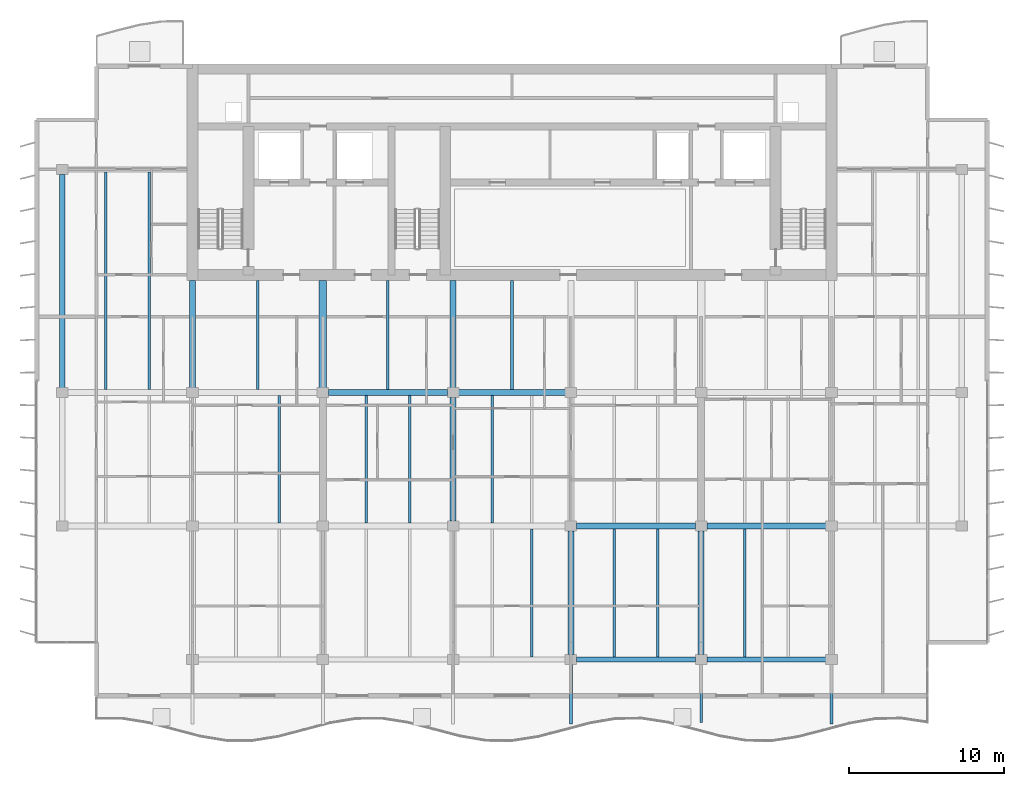
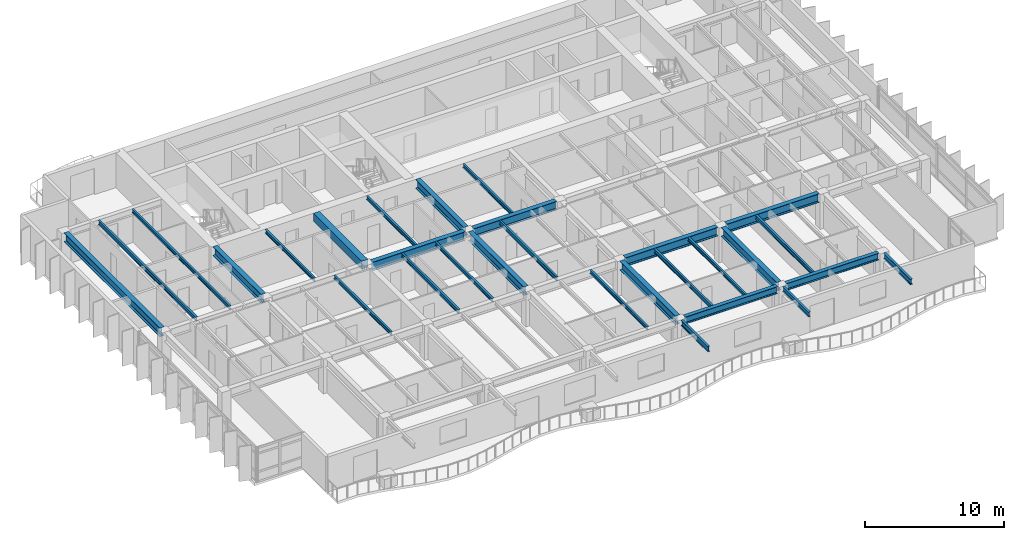
# One storey, part 3 of 19: 29 beams.
"""IFC4 building model written with IfcOpenShell, lengths in metres."""

from ifc_helpers import new_model, si_unit, direction, frame, origin, origin_2d, place, context, subcontext, project, spatial, rectangle, i_section, extrude, material, material_profile, profile_set, type_object, element, save


model = new_model("IFC4")

# Units and contexts
model_context = context("Model", 3, precision=1e-05, world=origin(), true_north=direction((0.0, 1.0)))
body_context = subcontext(model_context, "Body", "Model", "MODEL_VIEW")
ifc_project = project(units=[si_unit("LENGTHUNIT", "METRE"), si_unit("AREAUNIT", "SQUARE_METRE"), si_unit("VOLUMEUNIT", "CUBIC_METRE"), si_unit("PLANEANGLEUNIT", "RADIAN"), si_unit("MASSUNIT", "GRAM", prefix="KILO")], contexts=[model_context])

# Site, building, storey
site_placement = place(None, origin())
site = spatial("IfcSite", under=ifc_project, at=site_placement, CompositionType="ELEMENT")
building_placement = place(site_placement, origin())
building = spatial("IfcBuilding", under=site, at=building_placement, Name="Caelmar Bay Residences", CompositionType="ELEMENT")
storey_placement = place(building_placement, frame((0.0, 0.0, 256.199951171875)))
storey = spatial("IfcBuildingStorey", under=building, at=storey_placement, Name="L72", CompositionType="ELEMENT", Elevation=256.199951171875)

# Beams
ifc_material_1 = material(Name="Steel ASTM A992 Grade 50", Category="steel")
ifc_material_profile_1 = material_profile(ifc_material_1, i_section(OverallWidth=0.177978515625, OverallDepth=0.406005859375, WebThickness=0.0078125, FlangeThickness=0.0126953125, FilletRadius=0.0087890625, at=origin_2d()), Name="W16X40")
ifc_profile_set_1 = profile_set([ifc_material_profile_1], Name="Steel ASTM A992 Grade 50")
beam_type_1 = type_object("IfcBeamType", Name="BM-BAL-W16X40", PredefinedType="JOIST", material=ifc_profile_set_1)
beam_1_placement = place(storey_placement, frame((51.10009765625, 11.885009765625, 2.84716796875), z_axis=(0.0, -1.0, 0.0), x_axis=(1.0, 0.0, 0.0)))
element("IfcBeam", 1, at=beam_1_placement, inside=storey, type_object=beam_type_1, Name="L73 South Balcony Cantilever Bracket 5", PredefinedType="JOIST", context=body_context, shape_type="SweptSolid", body=[
    extrude(i_section(OverallWidth=0.177978515625, OverallDepth=0.406005859375, WebThickness=0.0078125, FlangeThickness=0.0126953125, FilletRadius=0.0087890625, at=origin_2d()), origin(), (0.0, 0.0, 1.0), 3.74951171875),
])
ifc_material_profile_2 = material_profile(ifc_material_1, i_section(OverallWidth=0.193115234375, OverallDepth=0.467041015625, WebThickness=0.011474609375, FlangeThickness=0.01904296875, FilletRadius=0.01025390625, at=origin_2d()), Name="W18X65")
ifc_profile_set_2 = profile_set([ifc_material_profile_2], Name="Steel ASTM A992 Grade 50")
beam_type_2 = type_object("IfcBeamType", Name="BM-BAL-W18X65", PredefinedType="BEAM", material=ifc_profile_set_2)
for number, where, z_axis, x_axis, name in (
    (2, (42.699951171875, 11.885009765625, 2.816650390625), (0.0, -1.0, 0.0), (1.0, 0.0, 0.0), "L73 South Balcony Cantilever Bracket 4"),
    (3, (59.5, 11.885009765625, 2.816650390625), (0.0, -1.0, 0.0), (1.0, 0.0, 0.0), "L73 South Balcony Cantilever Bracket 6"),
):
    element("IfcBeam", number, at=place(storey_placement, frame(where, z_axis=z_axis, x_axis=x_axis)), inside=storey, type_object=beam_type_2, Name=name, PredefinedType="BEAM", context=body_context, shape_type="SweptSolid", body=[
        extrude(i_section(OverallWidth=0.193115234375, OverallDepth=0.467041015625, WebThickness=0.011474609375, FlangeThickness=0.01904296875, FilletRadius=0.01025390625, at=origin_2d()), origin(), (0.0, 0.0, 1.0), 3.85009765625),
    ])
ifc_material_profile_3 = material_profile(ifc_material_1, i_section(OverallWidth=0.381103515625, OverallDepth=0.77197265625, WebThickness=0.0166015625, FlangeThickness=0.027099609375, FilletRadius=0.0166015625, at=origin_2d()), Name="W30X173")
ifc_profile_set_3 = profile_set([ifc_material_profile_3], Name="Steel ASTM A992 Grade 50")
beam_type_3 = type_object("IfcBeamType", Name="BM-GRD-W30X173", PredefinedType="BEAM", material=ifc_profile_set_3)
beam_2_placement = place(storey_placement, frame((43.06494140625, 20.800048828125, 2.6640625), z_axis=(1.0, 0.0, 0.0), x_axis=(0.0, 1.0, 0.0)))
element("IfcBeam", 4, at=beam_2_placement, inside=storey, type_object=beam_type_3, Name="L72 East-West Girder Y=20.80 (42.7-51.1)", PredefinedType="BEAM", context=body_context, shape_type="SweptSolid", body=[
    extrude(i_section(OverallWidth=0.381103515625, OverallDepth=0.77197265625, WebThickness=0.0166015625, FlangeThickness=0.027099609375, FilletRadius=0.0166015625, at=origin_2d()), origin(), (0.0, 0.0, 1.0), 7.670166015625),
])
beam_3_placement = place(storey_placement, frame((51.465087890625, 20.800048828125, 2.6640625), z_axis=(1.0, 0.0, 0.0), x_axis=(0.0, 1.0, 0.0)))
element("IfcBeam", 5, at=beam_3_placement, inside=storey, type_object=beam_type_3, Name="L72 East-West Girder Y=20.80 (51.1-59.5)", PredefinedType="BEAM", context=body_context, shape_type="SweptSolid", body=[
    extrude(i_section(OverallWidth=0.381103515625, OverallDepth=0.77197265625, WebThickness=0.0166015625, FlangeThickness=0.027099609375, FilletRadius=0.0166015625, at=origin_2d()), origin(), (0.0, 0.0, 1.0), 7.669921875),
])
beam_4_placement = place(storey_placement, frame((27.06494140625, 29.39990234375, 2.6640625), z_axis=(1.0, 0.0, 0.0), x_axis=(0.0, 1.0, 0.0)))
element("IfcBeam", 6, at=beam_4_placement, inside=storey, type_object=beam_type_3, Name="L72 East-West Girder Y=29.40 (26.7-35.1)", PredefinedType="BEAM", context=body_context, shape_type="SweptSolid", body=[
    extrude(i_section(OverallWidth=0.381103515625, OverallDepth=0.77197265625, WebThickness=0.0166015625, FlangeThickness=0.027099609375, FilletRadius=0.0166015625, at=origin_2d()), origin(), (0.0, 0.0, 1.0), 7.670166015625),
])
beam_5_placement = place(storey_placement, frame((35.465087890625, 29.39990234375, 2.6640625), z_axis=(1.0, 0.0, 0.0), x_axis=(0.0, 1.0, 0.0)))
element("IfcBeam", 7, at=beam_5_placement, inside=storey, type_object=beam_type_3, Name="L72 East-West Girder Y=29.40 (35.1-42.7)", PredefinedType="BEAM", context=body_context, shape_type="SweptSolid", body=[
    extrude(i_section(OverallWidth=0.381103515625, OverallDepth=0.77197265625, WebThickness=0.0166015625, FlangeThickness=0.027099609375, FilletRadius=0.0166015625, at=origin_2d()), origin(), (0.0, 0.0, 1.0), 6.869873046875),
])
beam_6_placement = place(storey_placement, frame((9.89990234375, 29.715087890625, 2.6640625), z_axis=(0.0, 1.0, 0.0), x_axis=(-1.0, 0.0, 0.0)))
element("IfcBeam", 8, at=beam_6_placement, inside=storey, type_object=beam_type_3, Name="L72 North-South Girder X=9.90 (29.4-43.8)", PredefinedType="BEAM", context=body_context, shape_type="SweptSolid", body=[
    extrude(i_section(OverallWidth=0.381103515625, OverallDepth=0.77197265625, WebThickness=0.0166015625, FlangeThickness=0.027099609375, FilletRadius=0.0166015625, at=origin_2d()), origin(), (0.0, 0.0, 1.0), 13.77001953125),
])
for number, where, z_axis, x_axis, name in (
    (9, (18.300048828125, 29.715087890625, 2.6640625), (0.0, 1.0, 0.0), (-1.0, 0.0, 0.0), "L72 Core Tie Girder X=18.30"),
    (10, (35.10009765625, 29.715087890625, 2.6640625), (0.0, 1.0, 0.0), (-1.0, 0.0, 0.0), "L72 Core Tie Girder X=35.10"),
):
    element("IfcBeam", number, at=place(storey_placement, frame(where, z_axis=z_axis, x_axis=x_axis)), inside=storey, type_object=beam_type_3, Name=name, PredefinedType="BEAM", context=body_context, shape_type="SweptSolid", body=[
        extrude(i_section(OverallWidth=0.381103515625, OverallDepth=0.77197265625, WebThickness=0.0166015625, FlangeThickness=0.027099609375, FilletRadius=0.0166015625, at=origin_2d()), origin(), (0.0, 0.0, 1.0), 6.934814453125),
    ])
beam_7_placement = place(storey_placement, frame((35.10009765625, 21.114990234375, 2.6640625), z_axis=(0.0, 1.0, 0.0), x_axis=(-1.0, 0.0, 0.0)))
element("IfcBeam", 11, at=beam_7_placement, inside=storey, type_object=beam_type_3, Name="L72 North-South Girder X=35.10 (20.8-29.4)", PredefinedType="BEAM", context=body_context, shape_type="SweptSolid", body=[
    extrude(i_section(OverallWidth=0.381103515625, OverallDepth=0.77197265625, WebThickness=0.0166015625, FlangeThickness=0.027099609375, FilletRadius=0.0166015625, at=origin_2d()), origin(), (0.0, 0.0, 1.0), 7.969970703125),
])
for number, where, z_axis, x_axis, name in (
    (12, (42.699951171875, 12.514892578125, 2.6640625), (0.0, 1.0, 0.0), (-1.0, 0.0, 0.0), "L72 North-South Girder X=42.70 (12.2-20.8)"),
    (13, (51.10009765625, 12.514892578125, 2.6640625), (0.0, 1.0, 0.0), (-1.0, 0.0, 0.0), "L72 North-South Girder X=51.10 (12.2-20.8)"),
):
    element("IfcBeam", number, at=place(storey_placement, frame(where, z_axis=z_axis, x_axis=x_axis)), inside=storey, type_object=beam_type_3, Name=name, PredefinedType="BEAM", context=body_context, shape_type="SweptSolid", body=[
        extrude(i_section(OverallWidth=0.381103515625, OverallDepth=0.77197265625, WebThickness=0.0166015625, FlangeThickness=0.027099609375, FilletRadius=0.0166015625, at=origin_2d()), origin(), (0.0, 0.0, 1.0), 7.97021484375),
    ])
ifc_material_profile_4 = material_profile(ifc_material_1, i_section(OverallWidth=0.1650390625, OverallDepth=0.31005859375, WebThickness=0.005859375, FlangeThickness=0.009765625, FilletRadius=0.007568359375, at=origin_2d()), Name="W12X26")
ifc_profile_set_4 = profile_set([ifc_material_profile_4], Name="Steel ASTM A992 Grade 50")
beam_type_4 = type_object("IfcBeamType", Name="BM-JST-W12X26", PredefinedType="JOIST", material=ifc_profile_set_4)
for number, where, z_axis, x_axis, name in (
    (14, (40.166748046875, 12.362548828125, 2.89501953125), (0.0, 1.0, 0.0), (-1.0, 0.0, 0.0), "L72 Composite Floor Joist 6"),
    (15, (48.300048828125, 12.362548828125, 2.89501953125), (0.0, 1.0, 0.0), (-1.0, 0.0, 0.0), "L72 Composite Floor Joist 8"),
):
    element("IfcBeam", number, at=place(storey_placement, frame(where, z_axis=z_axis, x_axis=x_axis)), inside=storey, type_object=beam_type_4, Name=name, PredefinedType="JOIST", context=body_context, shape_type="SweptSolid", body=[
        extrude(i_section(OverallWidth=0.1650390625, OverallDepth=0.31005859375, WebThickness=0.005859375, FlangeThickness=0.009765625, FilletRadius=0.007568359375, at=origin_2d()), origin(), (0.0, 0.0, 1.0), 8.2470703125),
    ])
for number, where, z_axis, x_axis, name in (
    (16, (23.89990234375, 20.990478515625, 2.89501953125), (0.0, 1.0, 0.0), (-1.0, 0.0, 0.0), "L72 Composite Floor Joist 14"),
    (17, (32.300048828125, 20.990478515625, 2.89501953125), (0.0, 1.0, 0.0), (-1.0, 0.0, 0.0), "L72 Composite Floor Joist 16"),
):
    element("IfcBeam", number, at=place(storey_placement, frame(where, z_axis=z_axis, x_axis=x_axis)), inside=storey, type_object=beam_type_4, Name=name, PredefinedType="JOIST", context=body_context, shape_type="SweptSolid", body=[
        extrude(i_section(OverallWidth=0.1650390625, OverallDepth=0.31005859375, WebThickness=0.005859375, FlangeThickness=0.009765625, FilletRadius=0.007568359375, at=origin_2d()), origin(), (0.0, 0.0, 1.0), 8.218994140625),
    ])
for number, where, z_axis, x_axis, name in (
    (18, (22.5, 29.590576171875, 2.89501953125), (0.0, 1.0, 0.0), (-1.0, 0.0, 0.0), "L72 Core-Band Composite Joist 25"),
    (19, (30.89990234375, 29.590576171875, 2.89501953125), (0.0, 1.0, 0.0), (-1.0, 0.0, 0.0), "L72 Core-Band Composite Joist 26"),
    (20, (38.89990234375, 29.590576171875, 2.89501953125), (0.0, 1.0, 0.0), (-1.0, 0.0, 0.0), "L72 Core-Band Composite Joist 27"),
):
    element("IfcBeam", number, at=place(storey_placement, frame(where, z_axis=z_axis, x_axis=x_axis)), inside=storey, type_object=beam_type_4, Name=name, PredefinedType="JOIST", context=body_context, shape_type="SweptSolid", body=[
        extrude(i_section(OverallWidth=0.1650390625, OverallDepth=0.31005859375, WebThickness=0.005859375, FlangeThickness=0.009765625, FilletRadius=0.007568359375, at=origin_2d()), origin(), (0.0, 0.0, 1.0), 7.059326171875),
    ])
beam_8_placement = place(storey_placement, frame((15.5, 29.590576171875, 2.89501953125), z_axis=(0.0, 1.0, 0.0), x_axis=(-1.0, 0.0, 0.0)))
element("IfcBeam", 21, at=beam_8_placement, inside=storey, type_object=beam_type_4, Name="L72 Composite Floor Joist 31", PredefinedType="JOIST", context=body_context, shape_type="SweptSolid", body=[
    extrude(i_section(OverallWidth=0.1650390625, OverallDepth=0.31005859375, WebThickness=0.005859375, FlangeThickness=0.009765625, FilletRadius=0.007568359375, at=origin_2d()), origin(), (0.0, 0.0, 1.0), 14.046875),
])
ifc_material_profile_5 = material_profile(ifc_material_1, i_section(OverallWidth=0.1708984375, OverallDepth=0.35595703125, WebThickness=0.007080078125, FlangeThickness=0.01171875, FilletRadius=0.007568359375, at=origin_2d()), Name="W14X34")
ifc_profile_set_5 = profile_set([ifc_material_profile_5], Name="Steel ASTM A992 Grade 50")
beam_type_5 = type_object("IfcBeamType", Name="BM-JST-W14X34", PredefinedType="JOIST", material=ifc_profile_set_5)
for number, where, z_axis, x_axis, name in (
    (22, (45.5, 12.362548828125, 2.8720703125), (0.0, 1.0, 0.0), (-1.0, 0.0, 0.0), "L72 Composite Floor Joist 7"),
    (23, (53.89990234375, 12.362548828125, 2.8720703125), (0.0, 1.0, 0.0), (-1.0, 0.0, 0.0), "L72 Composite Floor Joist 9"),
):
    element("IfcBeam", number, at=place(storey_placement, frame(where, z_axis=z_axis, x_axis=x_axis)), inside=storey, type_object=beam_type_5, Name=name, PredefinedType="JOIST", context=body_context, shape_type="SweptSolid", body=[
        extrude(i_section(OverallWidth=0.1708984375, OverallDepth=0.35595703125, WebThickness=0.007080078125, FlangeThickness=0.01171875, FilletRadius=0.007568359375, at=origin_2d()), origin(), (0.0, 0.0, 1.0), 8.2470703125),
    ])
for number, where, z_axis, x_axis, name in (
    (24, (29.5, 20.990478515625, 2.8720703125), (0.0, 1.0, 0.0), (-1.0, 0.0, 0.0), "L72 Composite Floor Joist 15"),
    (25, (37.63330078125, 20.990478515625, 2.8720703125), (0.0, 1.0, 0.0), (-1.0, 0.0, 0.0), "L72 Composite Floor Joist 17"),
):
    element("IfcBeam", number, at=place(storey_placement, frame(where, z_axis=z_axis, x_axis=x_axis)), inside=storey, type_object=beam_type_5, Name=name, PredefinedType="JOIST", context=body_context, shape_type="SweptSolid", body=[
        extrude(i_section(OverallWidth=0.1708984375, OverallDepth=0.35595703125, WebThickness=0.007080078125, FlangeThickness=0.01171875, FilletRadius=0.007568359375, at=origin_2d()), origin(), (0.0, 0.0, 1.0), 8.218994140625),
    ])
beam_9_placement = place(storey_placement, frame((12.699951171875, 29.590576171875, 2.8720703125), z_axis=(0.0, 1.0, 0.0), x_axis=(-1.0, 0.0, 0.0)))
element("IfcBeam", 26, at=beam_9_placement, inside=storey, type_object=beam_type_5, Name="L72 Composite Floor Joist 30", PredefinedType="JOIST", context=body_context, shape_type="SweptSolid", body=[
    extrude(i_section(OverallWidth=0.1708984375, OverallDepth=0.35595703125, WebThickness=0.007080078125, FlangeThickness=0.01171875, FilletRadius=0.007568359375, at=origin_2d()), origin(), (0.0, 0.0, 1.0), 14.046875),
])
ifc_material_2 = material(Name="Concrete f'c 55 MPa (8,000 psi)", Category="concrete")
ifc_material_profile_6 = material_profile(ifc_material_2, rectangle(XDim=0.5, YDim=0.699951171875, at=origin_2d()), Name="RC-BM-500X700")
ifc_profile_set_6 = profile_set([ifc_material_profile_6], Name="Concrete f'c 55 MPa (8,000 psi)")
beam_type_6 = type_object("IfcBeamType", Name="BM-RC-500X700", PredefinedType="LINTEL", material=ifc_profile_set_6)
beam_10_placement = place(storey_placement, frame((26.699951171875, 29.715087890625, 2.699951171875), z_axis=(0.0, 1.0, 0.0), x_axis=(-1.0, 0.0, 0.0)))
element("IfcBeam", 27, at=beam_10_placement, inside=storey, type_object=beam_type_6, Name="L72 Shear-Wall Corridor Coupling Lintel W5", PredefinedType="LINTEL", context=body_context, shape_type="SweptSolid", body=[
    extrude(rectangle(XDim=0.5, YDim=0.699951171875, at=origin_2d()), origin(), (0.0, 0.0, 1.0), 6.934814453125),
])
ifc_material_profile_7 = material_profile(ifc_material_1, i_section(OverallWidth=0.324951171875, OverallDepth=0.616943359375, WebThickness=0.013916015625, FlangeThickness=0.021484375, FilletRadius=0.0126953125, at=origin_2d()), Name="W24X117")
ifc_profile_set_7 = profile_set([ifc_material_profile_7], Name="Steel ASTM A992 Grade 50")
beam_type_7 = type_object("IfcBeamType", Name="BM-SPN-W24X117", PredefinedType="SPANDREL", material=ifc_profile_set_7)
beam_11_placement = place(storey_placement, frame((43.06494140625, 12.199951171875, 2.741455078125), z_axis=(1.0, 0.0, 0.0), x_axis=(0.0, 1.0, 0.0)))
element("IfcBeam", 28, at=beam_11_placement, inside=storey, type_object=beam_type_7, Name="L72 East-West Girder Y=12.20 (42.7-51.1)", PredefinedType="SPANDREL", context=body_context, shape_type="SweptSolid", body=[
    extrude(i_section(OverallWidth=0.324951171875, OverallDepth=0.616943359375, WebThickness=0.013916015625, FlangeThickness=0.021484375, FilletRadius=0.0126953125, at=origin_2d()), origin(), (0.0, 0.0, 1.0), 7.670166015625),
])
beam_12_placement = place(storey_placement, frame((51.465087890625, 12.199951171875, 2.741455078125), z_axis=(1.0, 0.0, 0.0), x_axis=(0.0, 1.0, 0.0)))
element("IfcBeam", 29, at=beam_12_placement, inside=storey, type_object=beam_type_7, Name="L72 East-West Girder Y=12.20 (51.1-59.5)", PredefinedType="SPANDREL", context=body_context, shape_type="SweptSolid", body=[
    extrude(i_section(OverallWidth=0.324951171875, OverallDepth=0.616943359375, WebThickness=0.013916015625, FlangeThickness=0.021484375, FilletRadius=0.0126953125, at=origin_2d()), origin(), (0.0, 0.0, 1.0), 7.669921875),
])

save(model, "model.ifc")
